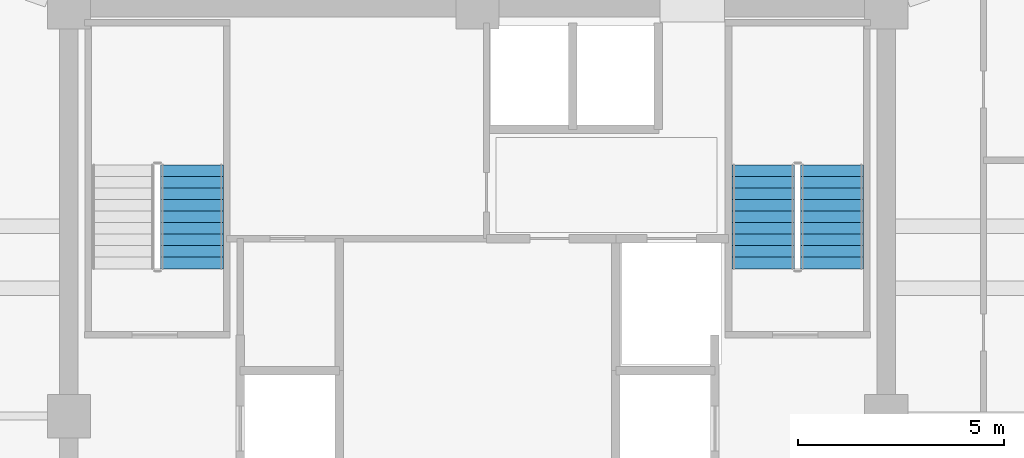
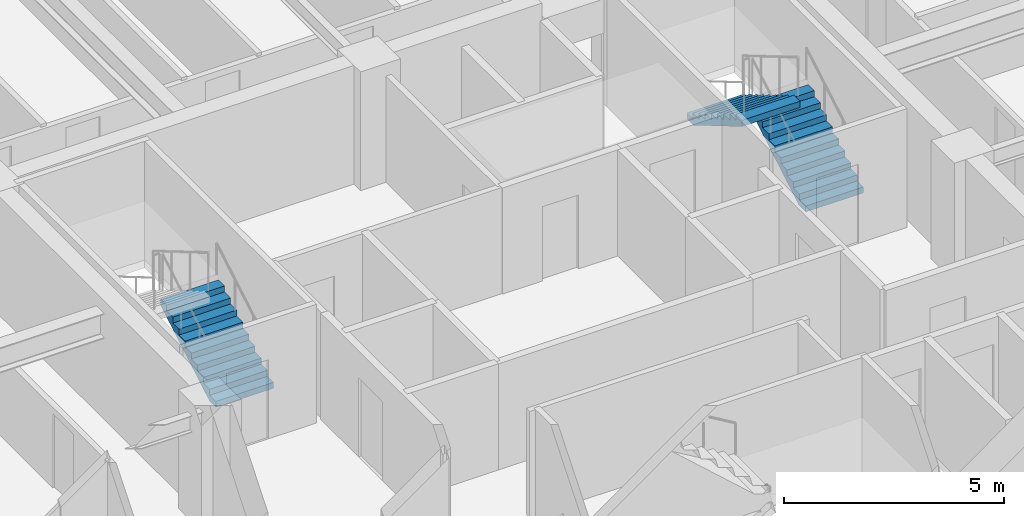
# One storey, part 32 of 34: 3 stair flights, 2 elements without a shape of their own.
"""IFC4 building model written with IfcOpenShell, lengths in metres."""

from ifc_helpers import new_model, si_unit, direction, frame, origin, place, context, subcontext, project, spatial, polyline, outline, extrude, material, type_object, element, aggregate, save


model = new_model("IFC4")

# Units and contexts
model_context = context("Model", 3, precision=1e-05, world=origin(), true_north=direction((0.0, 1.0)))
body_context = subcontext(model_context, "Body", "Model", "MODEL_VIEW")
ifc_project = project(units=[si_unit("LENGTHUNIT", "METRE"), si_unit("AREAUNIT", "SQUARE_METRE"), si_unit("VOLUMEUNIT", "CUBIC_METRE"), si_unit("PLANEANGLEUNIT", "RADIAN"), si_unit("MASSUNIT", "GRAM", prefix="KILO")], contexts=[model_context])

# Site, building, storey
site_placement = place(None, origin())
site = spatial("IfcSite", under=ifc_project, at=site_placement, CompositionType="ELEMENT")
building_placement = place(site_placement, origin())
building = spatial("IfcBuilding", under=site, at=building_placement, Name="Kolvaren Belvedere", CompositionType="ELEMENT")
storey_placement = place(building_placement, frame((0.0, 0.0, 229.5)))
storey = spatial("IfcBuildingStorey", under=building, at=storey_placement, Name="L67", CompositionType="ELEMENT", Elevation=229.5)

# Stair, stair flight
ifc_material_1 = material(Name="Concrete C50/60", Category="concrete")
stair_type = type_object("IfcStairType", Name="ST-CORE-1520", PredefinedType="HALF_TURN_STAIR", material=ifc_material_1)
stair_1_placement = place(storey_placement, origin())
stair_1 = element("IfcStair", 1, at=stair_1_placement, inside=storey, type_object=stair_type, Name="L67 Protected Exit Stair ST-1", PredefinedType="HALF_TURN_STAIR")
ifc_material_2 = material(Name="Concrete C50/60", Category="concrete")
stair_flight_type = type_object("IfcStairFlightType", Name="SF-STR-1520", PredefinedType="STRAIGHT", material=ifc_material_2)
stair_flight_1_placement = place(storey_placement, frame((-6.919921875, 3.570068359375, 0.0), z_axis=(0.0, 0.0, 1.0), x_axis=(0.0, 1.0, 0.0)))
stair_flight_1 = element("IfcStairFlight", 2, at=stair_flight_1_placement, type_object=stair_flight_type, Name="ST-1 flight 1", NumberOfRisers=10, NumberOfTreads=9, PredefinedType="STRAIGHT", RiserHeight=0.165, TreadLength=0.28, context=body_context, shape_type="SweptSolid", body=[
    extrude(outline(polyline([(0.0, 0.0), (0.0, 0.1650390625), (0.280029296875, 0.1650390625), (0.280029296875, 0.330078125), (0.56005859375, 0.330078125), (0.56005859375, 0.4951171875), (0.840087890625, 0.4951171875), (0.840087890625, 0.659912109375), (1.1201171875, 0.659912109375), (1.1201171875, 0.824951171875), (1.39990234375, 0.824951171875), (1.39990234375, 0.989990234375), (1.679931640625, 0.989990234375), (1.679931640625, 1.155029296875), (1.9599609375, 1.155029296875), (1.9599609375, 1.320068359375), (2.239990234375, 1.320068359375), (2.239990234375, 1.485107421875), (2.52001953125, 1.485107421875), (2.52001953125, 1.64990234375), (2.52001953125, 1.31103515625), (0.295166015625, 0.0), (0.0, 0.0)])), frame((0.0, 0.760009765625, 0.0), z_axis=(0.0, -1.0, 0.0), x_axis=(1.0, 0.0, 0.0)), (0.0, 0.0, 1.0), 1.52001953125),
])
aggregate(stair_1, [stair_flight_1])

# Stair, stair flights
stair_2_placement = place(storey_placement, origin())
stair_2 = element("IfcStair", 3, at=stair_2_placement, inside=storey, type_object=stair_type, Name="L67 Protected Exit Stair ST-2", PredefinedType="HALF_TURN_STAIR")
stair_flight_2_placement = place(storey_placement, frame((8.590087890625, 3.570068359375, 0.0), z_axis=(0.0, 0.0, 1.0), x_axis=(0.0, 1.0, 0.0)))
stair_flight_2 = element("IfcStairFlight", 4, at=stair_flight_2_placement, type_object=stair_flight_type, Name="ST-2 flight 1", NumberOfRisers=10, NumberOfTreads=9, PredefinedType="STRAIGHT", RiserHeight=0.165, TreadLength=0.28, context=body_context, shape_type="SweptSolid", body=[
    extrude(outline(polyline([(0.0, 0.0), (0.0, 0.1650390625), (0.280029296875, 0.1650390625), (0.280029296875, 0.330078125), (0.56005859375, 0.330078125), (0.56005859375, 0.4951171875), (0.840087890625, 0.4951171875), (0.840087890625, 0.659912109375), (1.1201171875, 0.659912109375), (1.1201171875, 0.824951171875), (1.39990234375, 0.824951171875), (1.39990234375, 0.989990234375), (1.679931640625, 0.989990234375), (1.679931640625, 1.155029296875), (1.9599609375, 1.155029296875), (1.9599609375, 1.320068359375), (2.239990234375, 1.320068359375), (2.239990234375, 1.485107421875), (2.52001953125, 1.485107421875), (2.52001953125, 1.64990234375), (2.52001953125, 1.31103515625), (0.295166015625, 0.0), (0.0, 0.0)])), frame((0.0, 0.760009765625, 0.0), z_axis=(0.0, -1.0, 0.0), x_axis=(1.0, 0.0, 0.0)), (0.0, 0.0, 1.0), 1.52001953125),
])
stair_flight_3_placement = place(storey_placement, frame((6.919921875, 6.090087890625, 1.64990234375), z_axis=(0.0, 0.0, 1.0), x_axis=(0.0, -1.0, 0.0)))
stair_flight_3 = element("IfcStairFlight", 5, at=stair_flight_3_placement, type_object=stair_flight_type, Name="ST-2 flight 2", NumberOfRisers=10, NumberOfTreads=9, PredefinedType="STRAIGHT", RiserHeight=0.165, TreadLength=0.28, context=body_context, shape_type="SweptSolid", body=[
    extrude(outline(polyline([(0.0, 0.0), (0.0, 0.1650390625), (0.280029296875, 0.1650390625), (0.280029296875, 0.330078125), (0.56005859375, 0.330078125), (0.56005859375, 0.4951171875), (0.840087890625, 0.4951171875), (0.840087890625, 0.659912109375), (1.1201171875, 0.659912109375), (1.1201171875, 0.824951171875), (1.39990234375, 0.824951171875), (1.39990234375, 0.989990234375), (1.679931640625, 0.989990234375), (1.679931640625, 1.155029296875), (1.9599609375, 1.155029296875), (1.9599609375, 1.320068359375), (2.239990234375, 1.320068359375), (2.239990234375, 1.485107421875), (2.52001953125, 1.485107421875), (2.52001953125, 1.64990234375), (2.52001953125, 1.31103515625), (0.295166015625, 0.0), (0.0, 0.0)])), frame((0.0, 0.760009765625, 0.0), z_axis=(0.0, -1.0, 0.0), x_axis=(1.0, 0.0, 0.0)), (0.0, 0.0, 1.0), 1.52001953125),
])
aggregate(stair_2, [stair_flight_2, stair_flight_3])

save(model, "model.ifc")
